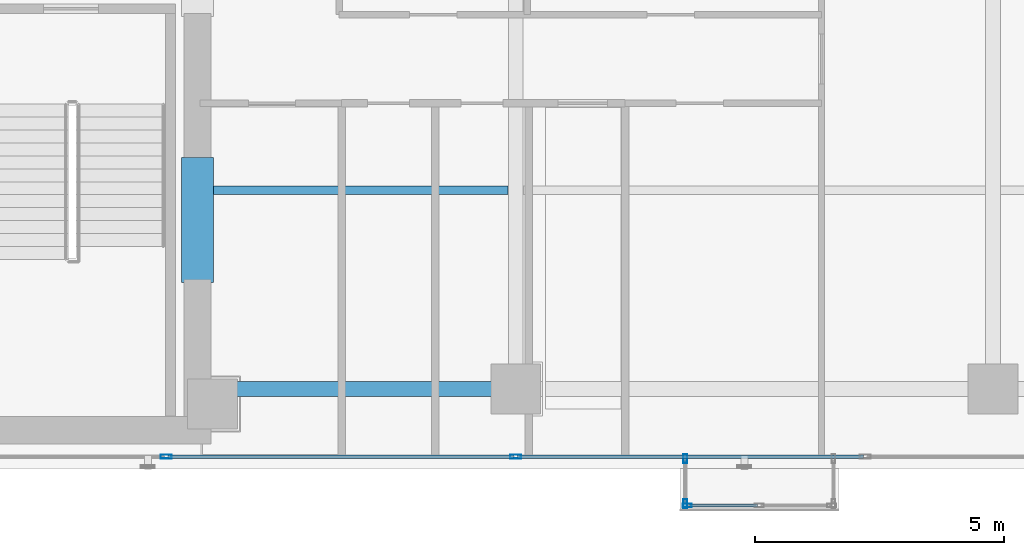
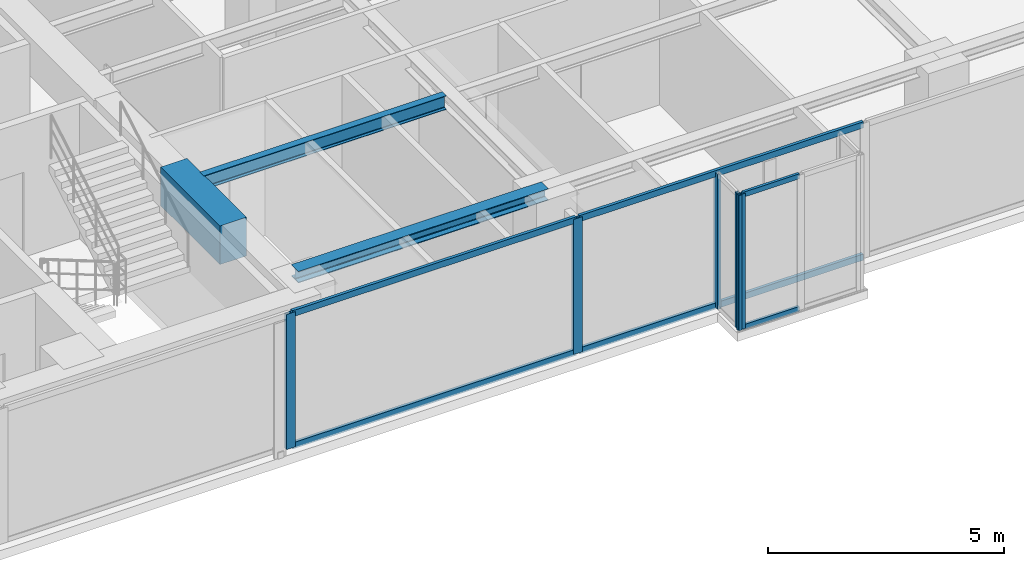
# One storey, part 4 of 22: 11 members, 3 beams, 3 elements without a shape of their own.
"""IFC4 building model written with IfcOpenShell, lengths in metres."""

import ifcopenshell
import ifcopenshell.guid

model = None  # the IFC model being written
_history = None  # IfcOwnerHistory: only IFC2X3 demands one
_inside = {}  # id of a spatial element -> (the spatial element, [elements in it])
_under = {}  # id of a project, library or spatial element -> (it, [spatial elements below it])
_declared = {}  # id of a project -> (the project, [libraries it declares])
_typed = {}  # id of a type object -> (the type object, [elements of that type])
_made_of = {}  # id of a material, layer set ... -> (it, [elements and type objects made of it])


def new_model(schema):
    """Start an empty IFC model of exactly this schema.

    Asked for "IFC4X3", IfcOpenShell would pick the latest addendum, in which some entities
    have other attributes; the version numbers below select the first issue.
    IFC2X3 requires an IfcOwnerHistory on every rooted entity: one is made here for all.
    """
    global model, _history
    if schema == "IFC4X3":
        model = ifcopenshell.file(schema_version=(4, 3, 0, 0))
    else:
        model = ifcopenshell.file(schema=schema)
    _inside.clear()
    _under.clear()
    _declared.clear()
    _typed.clear()
    _made_of.clear()
    _history = None
    if model.schema == "IFC2X3":
        org = make("IfcOrganization", Name="unknown")
        user = make(
            "IfcPersonAndOrganization",
            ThePerson=make("IfcPerson", FamilyName="unknown"),
            TheOrganization=org,
        )
        app = make(
            "IfcApplication",
            ApplicationDeveloper=org,
            Version="unknown",
            ApplicationFullName="unknown",
            ApplicationIdentifier="unknown",
        )
        _history = make(
            "IfcOwnerHistory",
            OwningUser=user,
            OwningApplication=app,
            ChangeAction="ADDED",
            CreationDate=0,
        )
    return model


def make(cls, **values):
    """One entity of the class cls with the attributes given. An attribute that is None is left unset."""
    return model.create_entity(
        cls, **{name: value for name, value in values.items() if value is not None}
    )


def rooted(cls, **values):
    """An entity with a GlobalId (a new one), such as an element, a storey or a relation."""
    return make(cls, GlobalId=ifcopenshell.guid.new(), OwnerHistory=_history, **values)


def si_unit(unit_type, name, prefix=None):
    """IfcSIUnit, for example si_unit("LENGTHUNIT", "METRE", prefix="MILLI")."""
    return make("IfcSIUnit", UnitType=unit_type, Prefix=prefix, Name=name)


def assignment(units):
    """IfcUnitAssignment: the units of a project."""
    return None if units is None else make("IfcUnitAssignment", Units=units)


def point(xyz):
    """IfcCartesianPoint."""
    return None if xyz is None else make("IfcCartesianPoint", Coordinates=xyz)


def direction(xyz):
    """IfcDirection."""
    return None if xyz is None else make("IfcDirection", DirectionRatios=xyz)


def frame(location, z_axis=None, x_axis=None):
    """IfcAxis2Placement3D, a coordinate frame: its origin and axes. An axis left out is left unset."""
    return make(
        "IfcAxis2Placement3D",
        Location=point(location),
        Axis=direction(z_axis),
        RefDirection=direction(x_axis),
    )


def frame_2d(location, x_axis=None):
    """IfcAxis2Placement2D, a coordinate frame in the plane: its origin and x axis."""
    return make(
        "IfcAxis2Placement2D", Location=point(location), RefDirection=direction(x_axis)
    )


def origin():
    """The frame at (0, 0, 0) with its axes left unset."""
    return frame((0.0, 0.0, 0.0))


def origin_with_axes():
    """The frame at (0, 0, 0) with the z axis (0, 0, 1) and the x axis (1, 0, 0) written out."""
    return frame((0.0, 0.0, 0.0), z_axis=(0.0, 0.0, 1.0), x_axis=(1.0, 0.0, 0.0))


def origin_2d():
    """The frame at (0, 0) in the plane with its x axis left unset."""
    return frame_2d((0.0, 0.0))


def place(relative_to, where):
    """IfcLocalPlacement: puts the frame where relative to a parent placement (None: the world)."""
    return make(
        "IfcLocalPlacement", PlacementRelTo=relative_to, RelativePlacement=where
    )


def context(
    kind, dimensions, precision=None, world=None, true_north=None, identifier=None
):
    """IfcGeometricRepresentationContext, for example the 3D "Model" context."""
    return make(
        "IfcGeometricRepresentationContext",
        ContextIdentifier=identifier,
        ContextType=kind,
        CoordinateSpaceDimension=dimensions,
        Precision=precision,
        WorldCoordinateSystem=world,
        TrueNorth=true_north,
    )


def subcontext(parent, identifier, kind, view, scale=None):
    """IfcGeometricRepresentationSubContext, for example "Body" below "Model"."""
    return make(
        "IfcGeometricRepresentationSubContext",
        ContextIdentifier=identifier,
        ContextType=kind,
        ParentContext=parent,
        TargetScale=scale,
        TargetView=view,
    )


def project(units=None, contexts=None):
    """IfcProject with its units and contexts."""
    return rooted(
        "IfcProject",
        Name="project",
        RepresentationContexts=contexts,
        UnitsInContext=assignment(units),
    )


def spatial(cls, under=None, at=None, **own):
    """A site, building, storey or space (cls), placed at a placement, below another one or the project."""
    s = rooted(cls, ObjectPlacement=at, **own)
    if under is not None:
        _under.setdefault(under.id(), (under, []))[1].append(s)
    return s


def profile(cls, at=None, kind="AREA", **sizes):
    """A parametric profile (cls). Its sizes go by their IFC names, for example OverallWidth=200.0."""
    return make(cls, ProfileType=kind, Position=at, **sizes)


def rectangle(**sizes):
    """IfcRectangleProfileDef."""
    return profile("IfcRectangleProfileDef", **sizes)


def hollow_rectangle(**sizes):
    """IfcRectangleHollowProfileDef."""
    return profile("IfcRectangleHollowProfileDef", **sizes)


def i_section(**sizes):
    """IfcIShapeProfileDef."""
    return profile("IfcIShapeProfileDef", **sizes)


def extrude(swept, where, along, depth):
    """IfcExtrudedAreaSolid: the profile swept, set in the frame where, extruded along a direction by depth."""
    return make(
        "IfcExtrudedAreaSolid",
        SweptArea=swept,
        Position=where,
        ExtrudedDirection=direction(along),
        Depth=depth,
    )


def shape(context_of_items, identifier, shape_type, items):
    """IfcShapeRepresentation: the items that make up one representation, for example the "Body"."""
    return make(
        "IfcShapeRepresentation",
        ContextOfItems=context_of_items,
        RepresentationIdentifier=identifier,
        RepresentationType=shape_type,
        Items=items,
    )


def source(mapping_origin, context_of_items, identifier, shape_type, items):
    """IfcRepresentationMap: a shape defined once, which mapped items show again and again."""
    return make(
        "IfcRepresentationMap",
        MappingOrigin=mapping_origin,
        MappedRepresentation=shape(context_of_items, identifier, shape_type, items),
    )


def transform(
    local_origin,
    x_axis=None,
    y_axis=None,
    z_axis=None,
    scale=None,
    scale2=None,
    scale3=None,
    uniform=True,
):
    """IfcCartesianTransformationOperator3D, or its non-uniform kind. x_axis, y_axis, z_axis: its Axis1, 2, 3."""
    if uniform:
        return make(
            "IfcCartesianTransformationOperator3D",
            Axis1=direction(x_axis),
            Axis2=direction(y_axis),
            LocalOrigin=point(local_origin),
            Scale=scale,
            Axis3=direction(z_axis),
        )
    return make(
        "IfcCartesianTransformationOperator3DnonUniform",
        Axis1=direction(x_axis),
        Axis2=direction(y_axis),
        LocalOrigin=point(local_origin),
        Scale=scale,
        Axis3=direction(z_axis),
        Scale2=scale2,
        Scale3=scale3,
    )


def mapped(mapping_source, mapping_target):
    """IfcMappedItem: shows the shape of a source again, moved by a transform."""
    return make(
        "IfcMappedItem", MappingSource=mapping_source, MappingTarget=mapping_target
    )


def material(Name=None, Category=None):
    """IfcMaterial."""
    return make("IfcMaterial", Name=Name, Category=Category)


def layer(
    of_material, thickness, ventilated=None, Name=None, Category=None, Priority=None
):
    """IfcMaterialLayer: one layer of a wall or slab, of a material (None: an air gap)."""
    return make(
        "IfcMaterialLayer",
        Material=of_material,
        LayerThickness=thickness,
        IsVentilated=ventilated,
        Name=Name,
        Category=Category,
        Priority=Priority,
    )


def layer_set(layers, Name=None):
    """IfcMaterialLayerSet."""
    return make("IfcMaterialLayerSet", MaterialLayers=layers, LayerSetName=Name)


def material_profile(
    of_material, cross_section, Name=None, Category=None, Priority=None
):
    """IfcMaterialProfile: a cross section and its material."""
    return make(
        "IfcMaterialProfile",
        Name=Name,
        Material=of_material,
        Profile=cross_section,
        Priority=Priority,
        Category=Category,
    )


def profile_set(profiles, Name=None, composite=None):
    """IfcMaterialProfileSet."""
    return make(
        "IfcMaterialProfileSet",
        Name=Name,
        MaterialProfiles=profiles,
        CompositeProfile=composite,
    )


def made_of(thing, what):
    """Note that an element or type object is made of a material, layer set ...; save() writes the relation."""
    if what is not None:
        _made_of.setdefault(what.id(), (what, []))[1].append(thing)
    return thing


def type_object(cls, material=None, **own):
    """A type object (cls), such as IfcWallType, which elements share."""
    return made_of(rooted(cls, **own), material)


def element(
    cls,
    number,
    at=None,
    inside=None,
    cuts=None,
    type_object=None,
    material=None,
    context=None,
    identifier="Body",
    shape_type=None,
    held_by="IfcProductDefinitionShape",
    body=None,
    shapes=None,
    **own,
):
    """One element of the class cls, such as IfcWall. Its Tag is "e" and its number.

    at: its placement. inside: the storey or other place that contains it. cuts: it is an
    opening in that element (IfcRelVoidsElement). A single representation is given by context,
    identifier, shape_type and body (its items); several are given by shapes. held_by: the class
    of the entity that holds the representations. save() writes the other relations.
    """
    e = rooted(cls, Tag="e%d" % number, ObjectPlacement=at, **own)
    if body is not None:
        shapes = [shape(context, identifier, shape_type, body)]
    if shapes is not None:
        e.Representation = make(held_by, Representations=shapes)
    if inside is not None:
        _inside.setdefault(inside.id(), (inside, []))[1].append(e)
    if cuts is not None:
        rooted(
            "IfcRelVoidsElement", RelatingBuildingElement=cuts, RelatedOpeningElement=e
        )
    if type_object is not None:
        _typed.setdefault(type_object.id(), (type_object, []))[1].append(e)
    return made_of(e, material)


def aggregate(whole, parts):
    """IfcRelAggregates: a whole, such as a stair, and the parts it consists of."""
    return rooted("IfcRelAggregates", RelatingObject=whole, RelatedObjects=parts)


def save(model, path):
    """Write the relations noted so far, then the file.

    IfcRelAggregates (storeys below a building ...), IfcRelContainedInSpatialStructure (elements
    in a storey), IfcRelDefinesByType, IfcRelAssociatesMaterial and IfcRelDeclares: one each for
    every whole, place, type object, material and project.
    """
    for whole, parts in _under.values():
        aggregate(whole, parts)
    for where, things in _inside.values():
        rooted(
            "IfcRelContainedInSpatialStructure",
            RelatedElements=things,
            RelatingStructure=where,
        )
    for kind, things in _typed.values():
        rooted("IfcRelDefinesByType", RelatedObjects=things, RelatingType=kind)
    for what, things in _made_of.values():
        rooted("IfcRelAssociatesMaterial", RelatedObjects=things, RelatingMaterial=what)
    for by, libraries in _declared.values():
        rooted("IfcRelDeclares", RelatingContext=by, RelatedDefinitions=libraries)
    model.write(path)


model = new_model("IFC4")

# Units and contexts
model_context = context("Model", 3, precision=1e-05, world=origin(), true_north=direction((0.0, 1.0)))
body_context = subcontext(model_context, "Body", "Model", "MODEL_VIEW")
ifc_project = project(units=[si_unit("LENGTHUNIT", "METRE"), si_unit("AREAUNIT", "SQUARE_METRE"), si_unit("VOLUMEUNIT", "CUBIC_METRE"), si_unit("PLANEANGLEUNIT", "RADIAN"), si_unit("MASSUNIT", "GRAM", prefix="KILO")], contexts=[model_context])

# Site, building, storey
site_placement = place(None, origin())
site = spatial("IfcSite", under=ifc_project, at=site_placement, CompositionType="ELEMENT")
building_placement = place(site_placement, origin())
building = spatial("IfcBuilding", under=site, at=building_placement, Name="Kolvaren Waterfront Exchange", CompositionType="ELEMENT")
storey_placement = place(building_placement, frame((0.0, 0.0, 219.699951171875)))
storey = spatial("IfcBuildingStorey", under=building, at=storey_placement, Name="L56", CompositionType="ELEMENT", Elevation=219.699951171875)

# Beams
ifc_material_1 = material(Name="Steel S355", Category="steel")
ifc_material_profile_1 = material_profile(ifc_material_1, i_section(OverallWidth=0.300048828125, OverallDepth=0.300048828125, WebThickness=0.010986328125, FlangeThickness=0.01904296875, FilletRadius=0.027099609375, at=origin_2d()), Name="HEB300")
ifc_profile_set_1 = profile_set([ifc_material_profile_1], Name="Steel S355")
beam_type_1 = type_object("IfcBeamType", Name="STR-BM-HEB300", PredefinedType="SPANDREL", material=ifc_profile_set_1)
beam_1_placement = place(storey_placement, frame((21.074951171875, 5.199951171875, 3.35009765625), z_axis=(1.0, 0.0, 0.0), x_axis=(0.0, 1.0, 0.0)))
element("IfcBeam", 1, at=beam_1_placement, inside=storey, type_object=beam_type_1, Name="L56 east-arm spandrel S1", PredefinedType="SPANDREL", context=body_context, shape_type="SweptSolid", body=[
    extrude(i_section(OverallWidth=0.300048828125, OverallDepth=0.300048828125, WebThickness=0.010986328125, FlangeThickness=0.01904296875, FilletRadius=0.027099609375, at=origin_2d()), origin(), (0.0, 0.0, 1.0), 6.125),
])
ifc_material_profile_2 = material_profile(ifc_material_1, i_section(OverallWidth=0.169921875, OverallDepth=0.360107421875, WebThickness=0.008056640625, FlangeThickness=0.0126953125, FilletRadius=0.01806640625, at=origin_2d()), Name="IPE360")
ifc_profile_set_2 = profile_set([ifc_material_profile_2], Name="Steel S355")
beam_type_2 = type_object("IfcBeamType", Name="STR-BM-IPE360", PredefinedType="JOIST", material=ifc_profile_set_2)
beam_2_placement = place(storey_placement, frame((21.10009765625, 9.199951171875, 3.320068359375), z_axis=(1.0, 0.0, 0.0), x_axis=(0.0, 1.0, 0.0)))
element("IfcBeam", 2, at=beam_2_placement, inside=storey, type_object=beam_type_2, Name="L56 east-arm composite joist 1B", PredefinedType="JOIST", context=body_context, shape_type="SweptSolid", body=[
    extrude(i_section(OverallWidth=0.169921875, OverallDepth=0.360107421875, WebThickness=0.008056640625, FlangeThickness=0.0126953125, FilletRadius=0.01806640625, at=origin_2d()), origin(), (0.0, 0.0, 1.0), 5.947998046875),
])
ifc_material_2 = material(Name="Concrete C60/75", Category="concrete")
ifc_material_profile_3 = material_profile(ifc_material_2, rectangle(XDim=0.64990234375, YDim=1.0, at=origin_2d()), Name="RC-CB-1000x650")
ifc_profile_set_3 = profile_set([ifc_material_profile_3], Name="Concrete C60/75")
beam_type_3 = type_object("IfcBeamType", Name="STR-CB-1000", PredefinedType="SPANDREL", material=ifc_profile_set_3)
beam_3_placement = place(storey_placement, frame((20.800048828125, 7.340087890625, 3.0), z_axis=(0.0, 1.0, 0.0), x_axis=(-1.0, 0.0, 0.0)))
element("IfcBeam", 3, at=beam_3_placement, inside=storey, type_object=beam_type_3, Name="L56 core coupling beam 1", PredefinedType="SPANDREL", context=body_context, shape_type="SweptSolid", body=[
    extrude(rectangle(XDim=0.64990234375, YDim=1.0, at=origin_2d()), origin(), (0.0, 0.0, 1.0), 2.52001953125),
])

# Curtain wall, members
ifc_material_3 = material(Name="Anodised bronze aluminium 6063-T6", Category="aluminium")
ifc_layer_1 = layer(ifc_material_3, 0.219970703125, Name="Anodised bronze aluminium 6063-T6")
ifc_layer_set_1 = layer_set([ifc_layer_1], Name="Anodised bronze aluminium 6063-T6")
curtain_wall_type_1 = type_object("IfcCurtainWallType", Name="ARC-CW-SYS3", PredefinedType="USERDEFINED", material=ifc_layer_set_1)
curtain_wall_1_placement = place(storey_placement, origin())
curtain_wall_1 = element("IfcCurtainWall", 4, at=curtain_wall_1_placement, inside=storey, type_object=curtain_wall_type_1, Name="L56 stick curtain wall CW3 (CW-L56-BOX)", ObjectType="STICK CURTAIN WALL", PredefinedType="USERDEFINED")
ifc_material_profile_4 = material_profile(ifc_material_3, hollow_rectangle(XDim=0.06494140625, YDim=0.1298828125, WallThickness=0.00390625, at=origin_2d()), Name="ALU-TRN-130x65x4")
ifc_profile_set_4 = profile_set([ifc_material_profile_4], Name="Anodised bronze aluminium 6063-T6")
member_type_1 = type_object("IfcMemberType", Name="ARC-CWT-130", PredefinedType="USERDEFINED", material=ifc_profile_set_4)
shared_shape_1 = source(origin_with_axes(), body_context, "Body", "SweptSolid", [
    extrude(hollow_rectangle(XDim=0.06494140625, YDim=0.1298828125, WallThickness=0.00390625, at=origin_2d()), origin(), (0.0, 0.0, 1.0), 1.37744140625),
])
member_1_placement = place(storey_placement, frame((30.68505859375, 2.860107421875, 0.032470703125), z_axis=(1.0, 0.0, 0.0), x_axis=(0.0, 1.0, 0.0)))
member_1 = element("IfcMember", 5, at=member_1_placement, type_object=member_type_1, Name="CW3 transom 1.1", ObjectType="TRANSOM", PredefinedType="USERDEFINED", context=body_context, shape_type="MappedRepresentation", body=[
    mapped(shared_shape_1, transform((0.0, 0.0, 0.0), x_axis=(1.0, 0.0, 0.0), y_axis=(0.0, 1.0, 0.0), z_axis=(0.0, 0.0, 1.0), scale=1.0)),
])
member_2_placement = place(storey_placement, frame((30.68505859375, 2.860107421875, 3.467529296875), z_axis=(1.0, 0.0, 0.0), x_axis=(0.0, 1.0, 0.0)))
member_2 = element("IfcMember", 6, at=member_2_placement, type_object=member_type_1, Name="CW3 transom 1.2", ObjectType="TRANSOM", PredefinedType="USERDEFINED", context=body_context, shape_type="MappedRepresentation", body=[
    mapped(shared_shape_1, transform((0.0, 0.0, 0.0), x_axis=(1.0, 0.0, 0.0), y_axis=(0.0, 1.0, 0.0), z_axis=(0.0, 0.0, 1.0), scale=1.0)),
])

curtain_wall_2_placement = place(storey_placement, origin())
curtain_wall_2 = element("IfcCurtainWall", 7, at=curtain_wall_2_placement, inside=storey, type_object=curtain_wall_type_1, Name="L56 stick curtain wall CW3 (CW-L56-BOX-W)", ObjectType="STICK CURTAIN WALL", PredefinedType="USERDEFINED")
ifc_material_profile_5 = material_profile(ifc_material_3, hollow_rectangle(XDim=0.074951171875, YDim=0.179931640625, WallThickness=0.00439453125, at=origin_2d()), Name="ALU-MUL-180x75x4.5")
ifc_profile_set_5 = profile_set([ifc_material_profile_5], Name="Anodised bronze aluminium 6063-T6")
member_type_2 = type_object("IfcMemberType", Name="ARC-CWM-180", PredefinedType="MULLION", material=ifc_profile_set_5)
shared_shape_2 = source(origin_with_axes(), body_context, "Body", "SweptSolid", [
    extrude(hollow_rectangle(XDim=0.074951171875, YDim=0.179931640625, WallThickness=0.00439453125, at=origin_2d()), origin(), (0.0, 0.0, 1.0), 3.5),
])
member_3_placement = place(storey_placement, frame((30.610107421875, 3.802490234375, 0.0), z_axis=(0.0, 0.0, 1.0), x_axis=(1.0, 0.0, 0.0)))
member_3 = element("IfcMember", 8, at=member_3_placement, type_object=member_type_2, Name="CW3 mullion 1", PredefinedType="MULLION", context=body_context, shape_type="MappedRepresentation", body=[
    mapped(shared_shape_2, transform((0.0, 0.0, 0.0), x_axis=(1.0, 0.0, 0.0), y_axis=(0.0, 1.0, 0.0), z_axis=(0.0, 0.0, 1.0), scale=1.0)),
])
member_4_placement = place(storey_placement, frame((30.610107421875, 2.8974609375, 0.0), z_axis=(0.0, 0.0, 1.0), x_axis=(1.0, 0.0, 0.0)))
member_4 = element("IfcMember", 9, at=member_4_placement, type_object=member_type_2, Name="CW3 mullion 2", PredefinedType="MULLION", context=body_context, shape_type="MappedRepresentation", body=[
    mapped(shared_shape_2, transform((0.0, 0.0, 0.0), x_axis=(1.0, 0.0, 0.0), y_axis=(0.0, 1.0, 0.0), z_axis=(0.0, 0.0, 1.0), scale=1.0)),
])
aggregate(curtain_wall_2, [member_3, member_4])

# Member
member_5_placement = place(storey_placement, frame((30.6474609375, 2.860107421875, 0.0), z_axis=(0.0, 0.0, 1.0), x_axis=(0.0, 1.0, 0.0)))
member_5 = element("IfcMember", 10, at=member_5_placement, type_object=member_type_2, Name="CW3 mullion 1", PredefinedType="MULLION", context=body_context, shape_type="MappedRepresentation", body=[
    mapped(shared_shape_2, transform((0.0, 0.0, 0.0), x_axis=(1.0, 0.0, 0.0), y_axis=(0.0, 1.0, 0.0), z_axis=(0.0, 0.0, 1.0), scale=1.0)),
])

aggregate(curtain_wall_1, [member_5, member_1, member_2])

# Curtain wall, members
ifc_layer_2 = layer(ifc_material_3, 0.219970703125, Name="Anodised bronze aluminium 6063-T6")
ifc_layer_set_2 = layer_set([ifc_layer_2], Name="Anodised bronze aluminium 6063-T6")
curtain_wall_type_2 = type_object("IfcCurtainWallType", Name="ARC-CW-SYS1", PredefinedType="USERDEFINED", material=ifc_layer_set_2)
curtain_wall_3_placement = place(storey_placement, origin())
curtain_wall_3 = element("IfcCurtainWall", 11, at=curtain_wall_3_placement, inside=storey, type_object=curtain_wall_type_2, Name="L56 stick curtain wall CW1 (CW-L56-S)", ObjectType="STICK CURTAIN WALL", PredefinedType="USERDEFINED")
ifc_material_4 = material(Name="Anodised aluminium 6063-T6", Category="aluminium")
ifc_material_profile_6 = material_profile(ifc_material_4, hollow_rectangle(XDim=0.080078125, YDim=0.219970703125, WallThickness=0.0048828125, at=origin_2d()), Name="ALU-MUL-220x80x5")
ifc_profile_set_6 = profile_set([ifc_material_profile_6], Name="Anodised aluminium 6063-T6")
member_type_3 = type_object("IfcMemberType", Name="ARC-CWM-220", PredefinedType="MULLION", material=ifc_profile_set_6)
shared_shape_3 = source(origin_with_axes(), body_context, "Body", "SweptSolid", [
    extrude(hollow_rectangle(XDim=0.080078125, YDim=0.219970703125, WallThickness=0.0048828125, at=origin_2d()), origin(), (0.0, 0.0, 1.0), 3.5),
])
member_6_placement = place(storey_placement, frame((20.166748046875, 3.840087890625, 0.0), z_axis=(0.0, 0.0, 1.0), x_axis=(0.0, 1.0, 0.0)))
member_6 = element("IfcMember", 12, at=member_6_placement, type_object=member_type_3, Name="CW1 mullion 3", PredefinedType="MULLION", context=body_context, shape_type="MappedRepresentation", body=[
    mapped(shared_shape_3, transform((0.0, 0.0, 0.0), x_axis=(1.0, 0.0, 0.0), y_axis=(0.0, 1.0, 0.0), z_axis=(0.0, 0.0, 1.0), scale=1.0)),
])
member_7_placement = place(storey_placement, frame((27.199951171875, 3.840087890625, 0.0), z_axis=(0.0, 0.0, 1.0), x_axis=(0.0, 1.0, 0.0)))
member_7 = element("IfcMember", 13, at=member_7_placement, type_object=member_type_3, Name="CW1 mullion 4", PredefinedType="MULLION", context=body_context, shape_type="MappedRepresentation", body=[
    mapped(shared_shape_3, transform((0.0, 0.0, 0.0), x_axis=(1.0, 0.0, 0.0), y_axis=(0.0, 1.0, 0.0), z_axis=(0.0, 0.0, 1.0), scale=1.0)),
])
ifc_material_profile_7 = material_profile(ifc_material_4, hollow_rectangle(XDim=0.074951171875, YDim=0.159912109375, WallThickness=0.00439453125, at=origin_2d()), Name="ALU-TRN-160x75x4.5")
ifc_profile_set_7 = profile_set([ifc_material_profile_7], Name="Anodised aluminium 6063-T6")
member_type_4 = type_object("IfcMemberType", Name="ARC-CWT-160", PredefinedType="USERDEFINED", material=ifc_profile_set_7)
shared_shape_4 = source(origin_with_axes(), body_context, "Body", "SweptSolid", [
    extrude(hollow_rectangle(XDim=0.074951171875, YDim=0.159912109375, WallThickness=0.00439453125, at=origin_2d()), origin(), (0.0, 0.0, 1.0), 6.953369140625),
])
member_8_placement = place(storey_placement, frame((27.239990234375, 3.840087890625, 0.03759765625), z_axis=(1.0, 0.0, 0.0), x_axis=(0.0, 1.0, 0.0)))
member_8 = element("IfcMember", 14, at=member_8_placement, type_object=member_type_4, Name="CW1 transom 4.1", ObjectType="TRANSOM", PredefinedType="USERDEFINED", context=body_context, shape_type="MappedRepresentation", body=[
    mapped(shared_shape_4, transform((0.0, 0.0, 0.0), x_axis=(1.0, 0.0, 0.0), y_axis=(0.0, 1.0, 0.0), z_axis=(0.0, 0.0, 1.0), scale=1.0)),
])
member_9_placement = place(storey_placement, frame((27.239990234375, 3.840087890625, 3.462646484375), z_axis=(1.0, 0.0, 0.0), x_axis=(0.0, 1.0, 0.0)))
member_9 = element("IfcMember", 15, at=member_9_placement, type_object=member_type_4, Name="CW1 transom 4.2", ObjectType="TRANSOM", PredefinedType="USERDEFINED", context=body_context, shape_type="MappedRepresentation", body=[
    mapped(shared_shape_4, transform((0.0, 0.0, 0.0), x_axis=(1.0, 0.0, 0.0), y_axis=(0.0, 1.0, 0.0), z_axis=(0.0, 0.0, 1.0), scale=1.0)),
])
shared_shape_5 = source(origin_with_axes(), body_context, "Body", "SweptSolid", [
    extrude(hollow_rectangle(XDim=0.074951171875, YDim=0.159912109375, WallThickness=0.00439453125, at=origin_2d()), origin(), (0.0, 0.0, 1.0), 6.953125),
])
member_10_placement = place(storey_placement, frame((20.206787109375, 3.840087890625, 0.03759765625), z_axis=(1.0, 0.0, 0.0), x_axis=(0.0, 1.0, 0.0)))
member_10 = element("IfcMember", 16, at=member_10_placement, type_object=member_type_4, Name="CW1 transom 3.1", ObjectType="TRANSOM", PredefinedType="USERDEFINED", context=body_context, shape_type="MappedRepresentation", body=[
    mapped(shared_shape_5, transform((0.0, 0.0, 0.0), x_axis=(1.0, 0.0, 0.0), y_axis=(0.0, 1.0, 0.0), z_axis=(0.0, 0.0, 1.0), scale=1.0)),
])
member_11_placement = place(storey_placement, frame((20.206787109375, 3.840087890625, 3.462646484375), z_axis=(1.0, 0.0, 0.0), x_axis=(0.0, 1.0, 0.0)))
member_11 = element("IfcMember", 17, at=member_11_placement, type_object=member_type_4, Name="CW1 transom 3.2", ObjectType="TRANSOM", PredefinedType="USERDEFINED", context=body_context, shape_type="MappedRepresentation", body=[
    mapped(shared_shape_5, transform((0.0, 0.0, 0.0), x_axis=(1.0, 0.0, 0.0), y_axis=(0.0, 1.0, 0.0), z_axis=(0.0, 0.0, 1.0), scale=1.0)),
])
aggregate(curtain_wall_3, [member_6, member_7, member_10, member_11, member_8, member_9])

save(model, "model.ifc")
